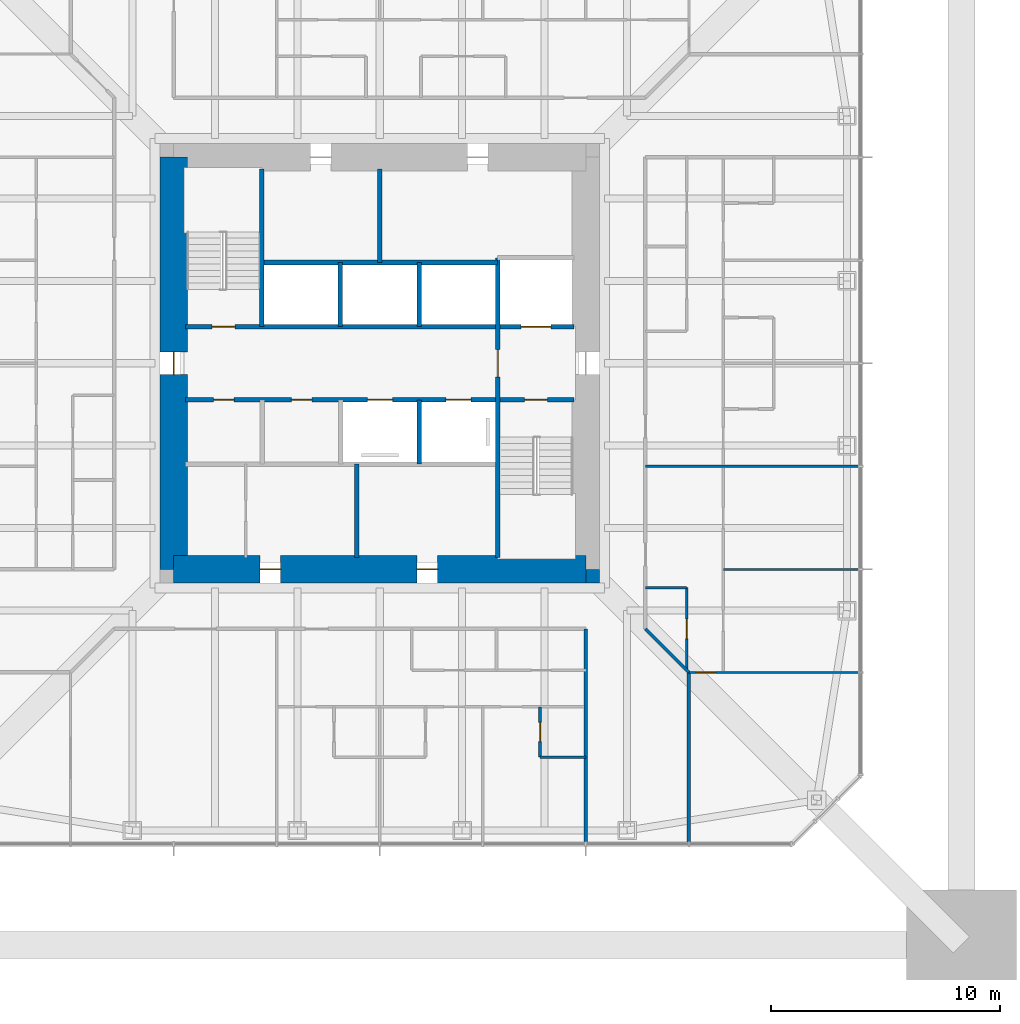
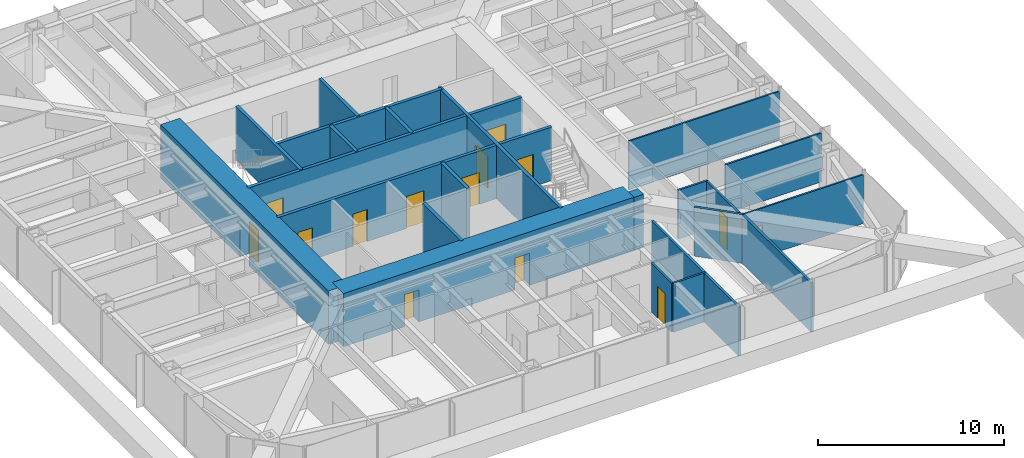
# One storey, part 14 of 20: 23 walls, 14 doors, 14 openings.
"""IFC4 building model written with IfcOpenShell, lengths in metres."""

from ifc_helpers import new_model, si_unit, direction, frame, frame_2d, origin, place, context, subcontext, project, spatial, rectangle, extrude, material, layer, layer_set, type_object, element, fill, save


model = new_model("IFC4")

# Units and contexts
model_context = context("Model", 3, precision=1e-05, world=origin(), true_north=direction((0.0, 1.0)))
body_context = subcontext(model_context, "Body", "Model", "MODEL_VIEW")
ifc_project = project(units=[si_unit("LENGTHUNIT", "METRE"), si_unit("AREAUNIT", "SQUARE_METRE"), si_unit("VOLUMEUNIT", "CUBIC_METRE"), si_unit("PLANEANGLEUNIT", "RADIAN"), si_unit("MASSUNIT", "GRAM", prefix="KILO")], contexts=[model_context])

# Site, building, storey
site_placement = place(None, origin())
site = spatial("IfcSite", under=ifc_project, at=site_placement, CompositionType="ELEMENT")
building_placement = place(site_placement, origin())
building = spatial("IfcBuilding", under=site, at=building_placement, Name="Iwan Alto Co-Living Towers", CompositionType="ELEMENT")
storey_placement = place(building_placement, frame((0.0, 0.0, 140.0)))
storey = spatial("IfcBuildingStorey", under=building, at=storey_placement, Name="L38", CompositionType="ELEMENT", Elevation=140.0)

# Walls
ifc_material_1 = material(Name="Gypsum board")
ifc_layer_1 = layer(ifc_material_1, 0.02490234375, Name="Board", Category="Finish")
ifc_material_2 = material(Name="Steel ASTM A1003 ST33H cold-formed studs", Category="steel")
ifc_layer_2 = layer(ifc_material_2, 0.10009765625, Name="Studs", Category="Framing")
ifc_layer_3 = layer(ifc_material_1, 0.02490234375, Name="Board", Category="Finish")
ifc_layer_set_1 = layer_set([ifc_layer_1, ifc_layer_2, ifc_layer_3], Name="CORRIDOR WALL 150")
wall_type_1 = type_object("IfcWallType", Name="CORRIDOR WALL 150", PredefinedType="PARTITIONING", material=ifc_layer_set_1)
wall_1_placement = place(storey_placement, frame((13.5, -20.93994140625, 0.0), z_axis=(0.0, 0.0, 1.0), x_axis=(0.0, 1.0, 0.0)))
element("IfcWall", 1, at=wall_1_placement, inside=storey, type_object=wall_type_1, Name="Partition L38", PredefinedType="PARTITIONING", context=body_context, shape_type="SweptSolid", body=[
    extrude(rectangle(XDim=7.43994140625, YDim=0.14990234375, at=frame_2d((3.719970703125, 0.0))), origin(), (0.0, 0.0, 1.0), 3.199951171875),
])
wall_2_placement = place(storey_placement, frame((9.0, -20.93994140625, 0.0), z_axis=(0.0, 0.0, 1.0), x_axis=(0.0, 1.0, 0.0)))
element("IfcWall", 2, at=wall_2_placement, inside=storey, type_object=wall_type_1, Name="Partition L38", PredefinedType="PARTITIONING", context=body_context, shape_type="SweptSolid", body=[
    extrude(rectangle(XDim=9.33984375, YDim=0.14990234375, at=frame_2d((4.669921875, 0.0))), origin(), (0.0, 0.0, 1.0), 3.199951171875),
])
wall_3_placement = place(storey_placement, frame((13.5, -13.5, 0.0), z_axis=(0.0, 0.0, 1.0), x_axis=(-0.707106781187, 0.707106781187, 0.0)))
element("IfcWall", 3, at=wall_3_placement, inside=storey, type_object=wall_type_1, Name="Partition L38", PredefinedType="PARTITIONING", context=body_context, shape_type="SweptSolid", body=[
    extrude(rectangle(XDim=2.686767578125, YDim=0.14990234375, at=frame_2d((1.34326171875, 0.0))), origin(), (0.0, 0.0, 1.0), 3.199951171875),
])

# Wall, opening, door
ifc_layer_4 = layer(ifc_material_1, 0.012451171875, Name="Board", Category="Finish")
ifc_layer_5 = layer(ifc_material_2, 0.074951171875, Name="Studs", Category="Framing")
ifc_layer_6 = layer(ifc_material_1, 0.012451171875, Name="Board", Category="Finish")
ifc_layer_set_2 = layer_set([ifc_layer_4, ifc_layer_5, ifc_layer_6], Name="PARTITION 100")
wall_type_2 = type_object("IfcWallType", Name="PARTITION 100", PredefinedType="PARTITIONING", material=ifc_layer_set_2)
wall_4_placement = place(storey_placement, frame((13.5, -13.5, 0.0), z_axis=(0.0, 0.0, 1.0), x_axis=(1.0, 0.0, 0.0)))
wall_4 = element("IfcWall", 4, at=wall_4_placement, inside=storey, type_object=wall_type_2, Name="Partition L38", PredefinedType="PARTITIONING", context=body_context, shape_type="SweptSolid", body=[
    extrude(rectangle(XDim=7.43994140625, YDim=0.10009765625, at=frame_2d((3.719970703125, 0.0))), origin(), (0.0, 0.0, 1.0), 3.199951171875),
])
opening_1_placement = place(wall_4_placement, frame((0.324951171875, 0.0, 0.0)))
opening_1 = element("IfcOpeningElement", 5, at=opening_1_placement, cuts=wall_4, Name="Opening D2", PredefinedType="OPENING", context=body_context, shape_type="SweptSolid", body=[
    extrude(rectangle(XDim=0.85009765625, YDim=2.10009765625, at=frame_2d((0.425048828125, 1.050048828125))), frame((0.0, 0.06005859375, 0.0), z_axis=(0.0, -1.0, 0.0), x_axis=(1.0, 0.0, 0.0)), (0.0, 0.0, 1.0), 0.1201171875),
])
ifc_material_3 = material(Name="Timber leaf in steel frame", Category="steel")
door_type_1 = type_object("IfcDoorType", Name="ROOM DOOR 850X2100", OperationType="SINGLE_SWING_LEFT", PredefinedType="DOOR", material=ifc_material_3)
door_1_placement = place(opening_1_placement, frame((0.85009765625, 0.0, 0.0), z_axis=(0.0, 0.0, 1.0), x_axis=(-1.0, 0.0, 0.0)))
door_1 = element("IfcDoor", 6, at=door_1_placement, inside=storey, type_object=door_type_1, Name="Shared kitchen and lounge door L38", OperationType="SINGLE_SWING_RIGHT", OverallHeight=2.10009765625, OverallWidth=0.85009765625, PredefinedType="DOOR", context=body_context, shape_type="SweptSolid", body=[
    extrude(rectangle(XDim=0.85009765625, YDim=2.10009765625, at=frame_2d((0.425048828125, 1.050048828125))), frame((0.0, 0.02490234375, 0.0), z_axis=(0.0, -1.0, 0.0), x_axis=(1.0, 0.0, 0.0)), (0.0, 0.0, 1.0), 0.050048828125),
])
fill(opening_1, door_1)

# Walls
wall_5_placement = place(storey_placement, frame((15.0, -9.0, 0.0), z_axis=(0.0, 0.0, 1.0), x_axis=(1.0, 0.0, 0.0)))
element("IfcWall", 7, at=wall_5_placement, inside=storey, type_object=wall_type_2, Name="Partition L38", PredefinedType="PARTITIONING", context=body_context, shape_type="SweptSolid", body=[
    extrude(rectangle(XDim=5.93994140625, YDim=0.10009765625, at=frame_2d((2.969970703125, 0.0))), origin(), (0.0, 0.0, 1.0), 3.199951171875),
])
wall_6_placement = place(storey_placement, frame((11.60009765625, -4.5, 0.0), z_axis=(0.0, 0.0, 1.0), x_axis=(1.0, 0.0, 0.0)))
element("IfcWall", 8, at=wall_6_placement, inside=storey, type_object=wall_type_2, Name="Partition L38", PredefinedType="PARTITIONING", context=body_context, shape_type="SweptSolid", body=[
    extrude(rectangle(XDim=9.33984375, YDim=0.10009765625, at=frame_2d((4.669921875, 0.0))), origin(), (0.0, 0.0, 1.0), 3.199951171875),
])

# Wall, openings, doors
ifc_material_4 = material(Name="Concrete f'c 70 MPa", Category="concrete")
ifc_layer_7 = layer(ifc_material_4, 0.199951171875)
ifc_layer_set_3 = layer_set([ifc_layer_7], Name="SHAFT WALL 200")
wall_type_3 = type_object("IfcWallType", Name="SHAFT WALL 200", PredefinedType="SOLIDWALL", material=ifc_layer_set_3)
wall_7_placement = place(storey_placement, frame((-8.489990234375, -1.60009765625, 0.0), z_axis=(0.0, 0.0, 1.0), x_axis=(1.0, 0.0, 0.0)))
wall_7 = element("IfcWall", 9, at=wall_7_placement, inside=storey, type_object=wall_type_3, Name="Shaft wall L38", PredefinedType="SOLIDWALL", context=body_context, shape_type="SweptSolid", body=[
    extrude(rectangle(XDim=16.97998046875, YDim=0.199951171875, at=frame_2d((8.489990234375, 0.0))), origin(), (0.0, 0.0, 1.0), 3.5),
])
opening_2_placement = place(wall_7_placement, frame((14.81005859375, 0.0, 0.0)))
opening_2 = element("IfcOpeningElement", 10, at=opening_2_placement, cuts=wall_7, Name="Opening D5", PredefinedType="OPENING", context=body_context, shape_type="SweptSolid", body=[
    extrude(rectangle(XDim=1.0, YDim=2.10009765625, at=frame_2d((0.5, 1.050048828125))), frame((0.0, 0.10986328125, 0.0), z_axis=(0.0, -1.0, 0.0), x_axis=(1.0, 0.0, 0.0)), (0.0, 0.0, 1.0), 0.219970703125),
])
opening_3_placement = place(wall_7_placement, frame((1.23193359375, 0.0, 0.0)))
opening_3 = element("IfcOpeningElement", 11, at=opening_3_placement, cuts=wall_7, Name="Opening D15", PredefinedType="OPENING", context=body_context, shape_type="SweptSolid", body=[
    extrude(rectangle(XDim=0.89990234375, YDim=2.10009765625, at=frame_2d((0.449951171875, 1.050048828125))), frame((0.0, 0.10986328125, 0.0), z_axis=(0.0, -1.0, 0.0), x_axis=(1.0, 0.0, 0.0)), (0.0, 0.0, 1.0), 0.219970703125),
])
opening_4_placement = place(wall_7_placement, frame((4.626953125, 0.0, 0.0)))
opening_4 = element("IfcOpeningElement", 12, at=opening_4_placement, cuts=wall_7, Name="Opening D15", PredefinedType="OPENING", context=body_context, shape_type="SweptSolid", body=[
    extrude(rectangle(XDim=0.89990234375, YDim=2.10009765625, at=frame_2d((0.449951171875, 1.050048828125))), frame((0.0, 0.10986328125, 0.0), z_axis=(0.0, -1.0, 0.0), x_axis=(1.0, 0.0, 0.0)), (0.0, 0.0, 1.0), 0.219970703125),
])
opening_5_placement = place(wall_7_placement, frame((7.952880859375, 0.0, 0.0)))
opening_5 = element("IfcOpeningElement", 13, at=opening_5_placement, cuts=wall_7, Name="Opening LD", PredefinedType="OPENING", context=body_context, shape_type="SweptSolid", body=[
    extrude(rectangle(XDim=1.10009765625, YDim=2.10009765625, at=frame_2d((0.550048828125, 1.050048828125))), frame((0.0, 0.10986328125, 0.0), z_axis=(0.0, -1.0, 0.0), x_axis=(1.0, 0.0, 0.0)), (0.0, 0.0, 1.0), 0.219970703125),
])
opening_6_placement = place(wall_7_placement, frame((11.3779296875, 0.0, 0.0)))
opening_6 = element("IfcOpeningElement", 14, at=opening_6_placement, cuts=wall_7, Name="Opening LD", PredefinedType="OPENING", context=body_context, shape_type="SweptSolid", body=[
    extrude(rectangle(XDim=1.10009765625, YDim=2.10009765625, at=frame_2d((0.550048828125, 1.050048828125))), frame((0.0, 0.10986328125, 0.0), z_axis=(0.0, -1.0, 0.0), x_axis=(1.0, 0.0, 0.0)), (0.0, 0.0, 1.0), 0.219970703125),
])
ifc_material_5 = material(Name="Steel frame with timber leaf", Category="steel")
door_type_2 = type_object("IfcDoorType", Name="CORE ROOM DOOR FD60S 900X2100", OperationType="SINGLE_SWING_LEFT", PredefinedType="DOOR", material=ifc_material_5)
door_2_placement = place(opening_3_placement, frame((0.89990234375, 0.0, 0.0), z_axis=(0.0, 0.0, 1.0), x_axis=(-1.0, 0.0, 0.0)))
door_2 = element("IfcDoor", 15, at=door_2_placement, inside=storey, type_object=door_type_2, Name="Vending and ice room door L38", OperationType="SINGLE_SWING_LEFT", OverallHeight=2.10009765625, OverallWidth=0.89990234375, PredefinedType="DOOR", context=body_context, shape_type="SweptSolid", body=[
    extrude(rectangle(XDim=0.89990234375, YDim=2.10009765625, at=frame_2d((0.449951171875, 1.050048828125))), frame((0.0, 0.02490234375, 0.0), z_axis=(0.0, -1.0, 0.0), x_axis=(1.0, 0.0, 0.0)), (0.0, 0.0, 1.0), 0.050048828125),
])
fill(opening_3, door_2)
door_3_placement = place(opening_4_placement, frame((0.89990234375, 0.0, 0.0), z_axis=(0.0, 0.0, 1.0), x_axis=(-1.0, 0.0, 0.0)))
door_3 = element("IfcDoor", 16, at=door_3_placement, inside=storey, type_object=door_type_2, Name="Cleaner's store door L38", OperationType="SINGLE_SWING_RIGHT", OverallHeight=2.10009765625, OverallWidth=0.89990234375, PredefinedType="DOOR", context=body_context, shape_type="SweptSolid", body=[
    extrude(rectangle(XDim=0.89990234375, YDim=2.10009765625, at=frame_2d((0.449951171875, 1.050048828125))), frame((0.0, 0.02490234375, 0.0), z_axis=(0.0, -1.0, 0.0), x_axis=(1.0, 0.0, 0.0)), (0.0, 0.0, 1.0), 0.050048828125),
])
fill(opening_4, door_3)
ifc_material_6 = material(Name="Steel frame with timber leaf", Category="steel")
door_type_3 = type_object("IfcDoorType", Name="LIFT LANDING DOOR 1100X2100", OperationType="DOUBLE_DOOR_SLIDING", PredefinedType="DOOR", material=ifc_material_6)
door_4_placement = place(opening_5_placement, origin())
door_4 = element("IfcDoor", 17, at=door_4_placement, inside=storey, type_object=door_type_3, Name="Lift P2-3 landing door L38", OperationType="DOUBLE_DOOR_SLIDING", OverallHeight=2.10009765625, OverallWidth=1.10009765625, PredefinedType="DOOR", context=body_context, shape_type="SweptSolid", body=[
    extrude(rectangle(XDim=1.10009765625, YDim=2.10009765625, at=frame_2d((0.550048828125, 1.050048828125))), frame((0.0, 0.02490234375, 0.0), z_axis=(0.0, -1.0, 0.0), x_axis=(1.0, 0.0, 0.0)), (0.0, 0.0, 1.0), 0.050048828125),
])
fill(opening_5, door_4)
door_5_placement = place(opening_6_placement, origin())
door_5 = element("IfcDoor", 18, at=door_5_placement, inside=storey, type_object=door_type_3, Name="Lift P2-4 landing door L38", OperationType="DOUBLE_DOOR_SLIDING", OverallHeight=2.10009765625, OverallWidth=1.10009765625, PredefinedType="DOOR", context=body_context, shape_type="SweptSolid", body=[
    extrude(rectangle(XDim=1.10009765625, YDim=2.10009765625, at=frame_2d((0.550048828125, 1.050048828125))), frame((0.0, 0.02490234375, 0.0), z_axis=(0.0, -1.0, 0.0), x_axis=(1.0, 0.0, 0.0)), (0.0, 0.0, 1.0), 0.050048828125),
])
fill(opening_6, door_5)
ifc_material_7 = material(Name="Steel frame with timber leaf", Category="steel")
door_type_4 = type_object("IfcDoorType", Name="STAIR DOOR FD120S 1000X2100", OperationType="SINGLE_SWING_LEFT", PredefinedType="DOOR", material=ifc_material_7)
door_6_placement = place(opening_2_placement, frame((1.0, 0.0, 0.0), z_axis=(0.0, 0.0, 1.0), x_axis=(-1.0, 0.0, 0.0)))
door_6 = element("IfcDoor", 19, at=door_6_placement, inside=storey, type_object=door_type_4, Name="Stair S2 door L38", OperationType="SINGLE_SWING_RIGHT", OverallHeight=2.10009765625, OverallWidth=1.0, PredefinedType="DOOR", context=body_context, shape_type="SweptSolid", body=[
    extrude(rectangle(XDim=1.0, YDim=2.10009765625, at=frame_2d((0.5, 1.050048828125))), frame((0.0, 0.02490234375, 0.0), z_axis=(0.0, -1.0, 0.0), x_axis=(1.0, 0.0, 0.0)), (0.0, 0.0, 1.0), 0.050048828125),
])
fill(opening_2, door_6)

wall_8_placement = place(storey_placement, frame((-8.489990234375, 1.60009765625, 0.0), z_axis=(0.0, 0.0, 1.0), x_axis=(1.0, 0.0, 0.0)))
wall_8 = element("IfcWall", 20, at=wall_8_placement, inside=storey, type_object=wall_type_3, Name="Shaft wall L38", PredefinedType="SOLIDWALL", context=body_context, shape_type="SweptSolid", body=[
    extrude(rectangle(XDim=16.97998046875, YDim=0.199951171875, at=frame_2d((8.489990234375, 0.0))), origin(), (0.0, 0.0, 1.0), 3.5),
])
opening_7_placement = place(wall_8_placement, frame((1.169921875, 0.0, 0.0)))
opening_7 = element("IfcOpeningElement", 21, at=opening_7_placement, cuts=wall_8, Name="Opening D5", PredefinedType="OPENING", context=body_context, shape_type="SweptSolid", body=[
    extrude(rectangle(XDim=1.0, YDim=2.10009765625, at=frame_2d((0.5, 1.050048828125))), frame((0.0, 0.10986328125, 0.0), z_axis=(0.0, -1.0, 0.0), x_axis=(1.0, 0.0, 0.0)), (0.0, 0.0, 1.0), 0.219970703125),
])
opening_8_placement = place(wall_8_placement, frame((14.659912109375, 0.0, 0.0)))
opening_8 = element("IfcOpeningElement", 22, at=opening_8_placement, cuts=wall_8, Name="Opening LD2", PredefinedType="OPENING", context=body_context, shape_type="SweptSolid", body=[
    extrude(rectangle(XDim=1.300048828125, YDim=2.10009765625, at=frame_2d((0.64990234375, 1.050048828125))), frame((0.0, 0.10986328125, 0.0), z_axis=(0.0, -1.0, 0.0), x_axis=(1.0, 0.0, 0.0)), (0.0, 0.0, 1.0), 0.219970703125),
])
ifc_material_8 = material(Name="Steel frame with timber leaf", Category="steel")
door_type_5 = type_object("IfcDoorType", Name="LIFT LANDING DOOR 1300X2100", OperationType="SLIDING_TO_LEFT", PredefinedType="DOOR", material=ifc_material_8)
door_7_placement = place(opening_8_placement, origin())
door_7 = element("IfcDoor", 23, at=door_7_placement, inside=storey, type_object=door_type_5, Name="Lift FL1 landing door L38", OperationType="SLIDING_TO_LEFT", OverallHeight=2.10009765625, OverallWidth=1.300048828125, PredefinedType="DOOR", context=body_context, shape_type="SweptSolid", body=[
    extrude(rectangle(XDim=1.300048828125, YDim=2.10009765625, at=frame_2d((0.64990234375, 1.050048828125))), frame((0.0, 0.02490234375, 0.0), z_axis=(0.0, -1.0, 0.0), x_axis=(1.0, 0.0, 0.0)), (0.0, 0.0, 1.0), 0.050048828125),
])
fill(opening_8, door_7)
door_8_placement = place(opening_7_placement, origin())
door_8 = element("IfcDoor", 24, at=door_8_placement, inside=storey, type_object=door_type_4, Name="Stair S1 door L38", OperationType="SINGLE_SWING_RIGHT", OverallHeight=2.10009765625, OverallWidth=1.0, PredefinedType="DOOR", context=body_context, shape_type="SweptSolid", body=[
    extrude(rectangle(XDim=1.0, YDim=2.10009765625, at=frame_2d((0.5, 1.050048828125))), frame((0.0, 0.02490234375, 0.0), z_axis=(0.0, -1.0, 0.0), x_axis=(1.0, 0.0, 0.0)), (0.0, 0.0, 1.0), 0.050048828125),
])
fill(opening_7, door_8)

# Wall
wall_9_placement = place(storey_placement, frame((-5.14990234375, 4.39990234375, 0.0), z_axis=(0.0, 0.0, 1.0), x_axis=(1.0, 0.0, 0.0)))
element("IfcWall", 25, at=wall_9_placement, inside=storey, type_object=wall_type_3, Name="Shaft wall L38", PredefinedType="SOLIDWALL", context=body_context, shape_type="SweptSolid", body=[
    extrude(rectangle(XDim=10.2998046875, YDim=0.199951171875, at=frame_2d((5.14990234375, 0.0))), origin(), (0.0, 0.0, 1.0), 3.5),
])

# Wall, opening, door
wall_10_placement = place(storey_placement, frame((5.14990234375, -8.489990234375, 0.0), z_axis=(0.0, 0.0, 1.0), x_axis=(0.0, 1.0, 0.0)))
wall_10 = element("IfcWall", 26, at=wall_10_placement, inside=storey, type_object=wall_type_3, Name="Shaft wall L38", PredefinedType="SOLIDWALL", context=body_context, shape_type="SweptSolid", body=[
    extrude(rectangle(XDim=13.090087890625, YDim=0.199951171875, at=frame_2d((6.544921875, 0.0))), origin(), (0.0, 0.0, 1.0), 3.5),
])
opening_9_placement = place(wall_10_placement, frame((7.889892578125, 0.0, 0.0)))
opening_9 = element("IfcOpeningElement", 27, at=opening_9_placement, cuts=wall_10, Name="Opening D6", PredefinedType="OPENING", context=body_context, shape_type="SweptSolid", body=[
    extrude(rectangle(XDim=1.199951171875, YDim=2.10009765625, at=frame_2d((0.60009765625, 1.050048828125))), frame((0.0, 0.10986328125, 0.0), z_axis=(0.0, -1.0, 0.0), x_axis=(1.0, 0.0, 0.0)), (0.0, 0.0, 1.0), 0.219970703125),
])
ifc_material_9 = material(Name="Steel frame with timber leaf", Category="steel")
door_type_6 = type_object("IfcDoorType", Name="LOBBY DOOR FD120S 1200X2100", OperationType="SINGLE_SWING_LEFT", PredefinedType="DOOR", material=ifc_material_9)
door_9_placement = place(opening_9_placement, frame((1.199951171875, 0.0, 0.0), z_axis=(0.0, 0.0, 1.0), x_axis=(-1.0, 0.0, 0.0)))
door_9 = element("IfcDoor", 28, at=door_9_placement, inside=storey, type_object=door_type_6, Name="Firefighting lobby door L38", OperationType="SINGLE_SWING_RIGHT", OverallHeight=2.10009765625, OverallWidth=1.199951171875, PredefinedType="DOOR", context=body_context, shape_type="SweptSolid", body=[
    extrude(rectangle(XDim=1.199951171875, YDim=2.10009765625, at=frame_2d((0.60009765625, 1.050048828125))), frame((0.0, 0.02490234375, 0.0), z_axis=(0.0, -1.0, 0.0), x_axis=(1.0, 0.0, 0.0)), (0.0, 0.0, 1.0), 0.050048828125),
])
fill(opening_9, door_9)

# Walls
for number, where, z_axis, x_axis, name in (
    (29, (1.72509765625, -4.39990234375, 0.0), (0.0, 0.0, 1.0), (0.0, 1.0, 0.0), "Shaft wall L38"),
    (30, (1.717041015625, 1.60009765625, 0.0), (0.0, 0.0, 1.0), (0.0, 1.0, 0.0), "Shaft wall L38"),
):
    element("IfcWall", number, at=place(storey_placement, frame(where, z_axis=z_axis, x_axis=x_axis)), inside=storey, type_object=wall_type_3, Name=name, PredefinedType="SOLIDWALL", context=body_context, shape_type="SweptSolid", body=[
        extrude(rectangle(XDim=2.7998046875, YDim=0.199951171875, at=frame_2d((1.39990234375, 0.0))), origin(), (0.0, 0.0, 1.0), 3.5),
    ])
for number, where, z_axis, x_axis, name in (
    (31, (0.0, 4.39990234375, 0.0), (0.0, 0.0, 1.0), (0.0, 1.0, 0.0), "Shaft wall L38"),
    (32, (-1.0, -8.489990234375, 0.0), (0.0, 0.0, 1.0), (0.0, 1.0, 0.0), "Shaft wall L38"),
):
    element("IfcWall", number, at=place(storey_placement, frame(where, z_axis=z_axis, x_axis=x_axis)), inside=storey, type_object=wall_type_3, Name=name, PredefinedType="SOLIDWALL", context=body_context, shape_type="SweptSolid", body=[
        extrude(rectangle(XDim=4.090087890625, YDim=0.199951171875, at=frame_2d((2.044921875, 0.0))), origin(), (0.0, 0.0, 1.0), 3.5),
    ])
wall_11_placement = place(storey_placement, frame((-1.717041015625, 1.60009765625, 0.0), z_axis=(0.0, 0.0, 1.0), x_axis=(0.0, 1.0, 0.0)))
element("IfcWall", 33, at=wall_11_placement, inside=storey, type_object=wall_type_3, Name="Shaft wall L38", PredefinedType="SOLIDWALL", context=body_context, shape_type="SweptSolid", body=[
    extrude(rectangle(XDim=2.7998046875, YDim=0.199951171875, at=frame_2d((1.39990234375, 0.0))), origin(), (0.0, 0.0, 1.0), 3.5),
])
wall_12_placement = place(storey_placement, frame((-5.14990234375, 1.60009765625, 0.0), z_axis=(0.0, 0.0, 1.0), x_axis=(0.0, 1.0, 0.0)))
element("IfcWall", 34, at=wall_12_placement, inside=storey, type_object=wall_type_3, Name="Shaft wall L38", PredefinedType="SOLIDWALL", context=body_context, shape_type="SweptSolid", body=[
    extrude(rectangle(XDim=6.889892578125, YDim=0.199951171875, at=frame_2d((3.44482421875, 0.0))), origin(), (0.0, 0.0, 1.0), 3.5),
])
ifc_material_10 = material(Name="Concrete f'c 70 MPa", Category="concrete")
ifc_layer_8 = layer(ifc_material_10, 0.60009765625)
ifc_layer_set_4 = layer_set([ifc_layer_8], Name="T1 CORE CORNER FILL 600")
wall_type_4 = type_object("IfcWallType", Name="T1 CORE CORNER FILL 600", PredefinedType="SOLIDWALL", material=ifc_layer_set_4)
wall_13_placement = place(storey_placement, frame((9.0, -9.300048828125, 0.0), z_axis=(0.0, 0.0, 1.0), x_axis=(1.0, 0.0, 0.0)))
element("IfcWall", 35, at=wall_13_placement, inside=storey, type_object=wall_type_4, Name="T1 core corner SE L38", PredefinedType="SOLIDWALL", context=body_context, shape_type="SweptSolid", body=[
    extrude(rectangle(XDim=0.60009765625, YDim=0.60009765625, at=frame_2d((0.300048828125, 0.0))), origin(), (0.0, 0.0, 1.0), 3.5),
])

# Wall, openings, doors
ifc_material_11 = material(Name="Concrete f'c 70 MPa", Category="concrete")
ifc_layer_9 = layer(ifc_material_11, 1.199951171875)
ifc_layer_set_5 = layer_set([ifc_layer_9], Name="T1 CORE WALL 1200")
wall_type_5 = type_object("IfcWallType", Name="T1 CORE WALL 1200", PredefinedType="SHEAR", material=ifc_layer_set_5)
wall_14_placement = place(storey_placement, frame((-9.0, -9.0, 0.0), z_axis=(0.0, 0.0, 1.0), x_axis=(1.0, 0.0, 0.0)))
wall_14 = element("IfcWall", 36, at=wall_14_placement, inside=storey, type_object=wall_type_5, Name="T1 core wall S L38", PredefinedType="SHEAR", context=body_context, shape_type="SweptSolid", body=[
    extrude(rectangle(XDim=18.0, YDim=1.199951171875, at=frame_2d((9.0, 0.0))), origin(), (0.0, 0.0, 1.0), 3.5),
])
opening_10_placement = place(wall_14_placement, frame((3.77490234375, 0.0, 0.0)))
opening_10 = element("IfcOpeningElement", 37, at=opening_10_placement, cuts=wall_14, Name="Opening D8", PredefinedType="OPENING", context=body_context, shape_type="SweptSolid", body=[
    extrude(rectangle(XDim=0.89990234375, YDim=2.10009765625, at=frame_2d((0.449951171875, 1.050048828125))), frame((0.0, 0.60986328125, 0.0), z_axis=(0.0, -1.0, 0.0), x_axis=(1.0, 0.0, 0.0)), (0.0, 0.0, 1.0), 1.219970703125),
])
opening_11_placement = place(wall_14_placement, frame((10.625, 0.0, 0.0)))
opening_11 = element("IfcOpeningElement", 38, at=opening_11_placement, cuts=wall_14, Name="Opening D8", PredefinedType="OPENING", context=body_context, shape_type="SweptSolid", body=[
    extrude(rectangle(XDim=0.89990234375, YDim=2.10009765625, at=frame_2d((0.449951171875, 1.050048828125))), frame((0.0, 0.60986328125, 0.0), z_axis=(0.0, -1.0, 0.0), x_axis=(1.0, 0.0, 0.0)), (0.0, 0.0, 1.0), 1.219970703125),
])
ifc_material_12 = material(Name="Steel frame with timber leaf", Category="steel")
door_type_7 = type_object("IfcDoorType", Name="RISER DOOR FD120 900X2100", OperationType="SINGLE_SWING_LEFT", PredefinedType="DOOR", material=ifc_material_12)
door_10_placement = place(opening_10_placement, origin())
door_10 = element("IfcDoor", 39, at=door_10_placement, inside=storey, type_object=door_type_7, Name="Refuse room core door L38", OperationType="SINGLE_SWING_LEFT", OverallHeight=2.10009765625, OverallWidth=0.89990234375, PredefinedType="DOOR", context=body_context, shape_type="SweptSolid", body=[
    extrude(rectangle(XDim=0.89990234375, YDim=2.10009765625, at=frame_2d((0.449951171875, 1.050048828125))), frame((0.0, 0.02490234375, 0.0), z_axis=(0.0, -1.0, 0.0), x_axis=(1.0, 0.0, 0.0)), (0.0, 0.0, 1.0), 0.050048828125),
])
fill(opening_10, door_10)
door_11_placement = place(opening_11_placement, origin())
door_11 = element("IfcDoor", 40, at=door_11_placement, inside=storey, type_object=door_type_7, Name="Telecom riser core door L38", OperationType="SINGLE_SWING_LEFT", OverallHeight=2.10009765625, OverallWidth=0.89990234375, PredefinedType="DOOR", context=body_context, shape_type="SweptSolid", body=[
    extrude(rectangle(XDim=0.89990234375, YDim=2.10009765625, at=frame_2d((0.449951171875, 1.050048828125))), frame((0.0, 0.02490234375, 0.0), z_axis=(0.0, -1.0, 0.0), x_axis=(1.0, 0.0, 0.0)), (0.0, 0.0, 1.0), 0.050048828125),
])
fill(opening_11, door_11)

# Wall, opening, door
wall_15_placement = place(storey_placement, frame((-9.0, 9.0, 0.0), z_axis=(0.0, 0.0, 1.0), x_axis=(0.0, -1.0, 0.0)))
wall_15 = element("IfcWall", 41, at=wall_15_placement, inside=storey, type_object=wall_type_5, Name="T1 core wall W L38", PredefinedType="SHEAR", context=body_context, shape_type="SweptSolid", body=[
    extrude(rectangle(XDim=18.0, YDim=1.199951171875, at=frame_2d((9.0, 0.0))), origin(), (0.0, 0.0, 1.0), 3.5),
])
opening_12_placement = place(wall_15_placement, frame((8.5, 0.0, 0.0)))
opening_12 = element("IfcOpeningElement", 42, at=opening_12_placement, cuts=wall_15, Name="Opening D7", PredefinedType="OPENING", context=body_context, shape_type="SweptSolid", body=[
    extrude(rectangle(XDim=1.0, YDim=2.10009765625, at=frame_2d((0.5, 1.050048828125))), frame((0.0, 0.60986328125, 0.0), z_axis=(0.0, -1.0, 0.0), x_axis=(1.0, 0.0, 0.0)), (0.0, 0.0, 1.0), 1.219970703125),
])
ifc_material_13 = material(Name="Steel frame with timber leaf", Category="steel")
door_type_8 = type_object("IfcDoorType", Name="CORE DOOR FD120S 1000X2100", OperationType="SINGLE_SWING_LEFT", PredefinedType="DOOR", material=ifc_material_13)
door_12_placement = place(opening_12_placement, origin())
door_12 = element("IfcDoor", 43, at=door_12_placement, inside=storey, type_object=door_type_8, Name="Lift lobby core door L38", OperationType="SINGLE_SWING_RIGHT", OverallHeight=2.10009765625, OverallWidth=1.0, PredefinedType="DOOR", context=body_context, shape_type="SweptSolid", body=[
    extrude(rectangle(XDim=1.0, YDim=2.10009765625, at=frame_2d((0.5, 1.050048828125))), frame((0.0, 0.02490234375, 0.0), z_axis=(0.0, -1.0, 0.0), x_axis=(1.0, 0.0, 0.0)), (0.0, 0.0, 1.0), 0.050048828125),
])
fill(opening_12, door_12)

# Walls
ifc_material_14 = material(Name="Cement board")
ifc_layer_10 = layer(ifc_material_14, 0.012451171875, Name="Board", Category="Finish")
ifc_layer_11 = layer(ifc_material_2, 0.094970703125, Name="Studs", Category="Framing")
ifc_layer_12 = layer(ifc_material_14, 0.012451171875, Name="Board", Category="Finish")
ifc_layer_set_6 = layer_set([ifc_layer_10, ifc_layer_11, ifc_layer_12], Name="WET AREA PARTITION 120")
wall_type_6 = type_object("IfcWallType", Name="WET AREA PARTITION 120", PredefinedType="PARTITIONING", material=ifc_layer_set_6)
wall_16_placement = place(storey_placement, frame((7.0, -17.199951171875, 0.0), z_axis=(0.0, 0.0, 1.0), x_axis=(1.0, 0.0, 0.0)))
element("IfcWall", 44, at=wall_16_placement, inside=storey, type_object=wall_type_6, Name="Partition L38", PredefinedType="PARTITIONING", context=body_context, shape_type="SweptSolid", body=[
    extrude(rectangle(XDim=2.0, YDim=0.1201171875, at=frame_2d((1.0, 0.0))), origin(), (0.0, 0.0, 1.0), 3.199951171875),
])
wall_17_placement = place(storey_placement, frame((11.60009765625, -9.800048828125, 0.0), z_axis=(0.0, 0.0, 1.0), x_axis=(1.0, 0.0, 0.0)))
element("IfcWall", 45, at=wall_17_placement, inside=storey, type_object=wall_type_6, Name="Partition L38", PredefinedType="PARTITIONING", context=body_context, shape_type="SweptSolid", body=[
    extrude(rectangle(XDim=1.7998046875, YDim=0.1201171875, at=frame_2d((0.89990234375, 0.0))), origin(), (0.0, 0.0, 1.0), 3.199951171875),
])

# Wall, opening, door
wall_18_placement = place(storey_placement, frame((13.39990234375, -13.39990234375, 0.0), z_axis=(0.0, 0.0, 1.0), x_axis=(0.0, 1.0, 0.0)))
wall_18 = element("IfcWall", 46, at=wall_18_placement, inside=storey, type_object=wall_type_6, Name="Partition L38", PredefinedType="PARTITIONING", context=body_context, shape_type="SweptSolid", body=[
    extrude(rectangle(XDim=3.599853515625, YDim=0.1201171875, at=frame_2d((1.7998046875, 0.0))), origin(), (0.0, 0.0, 1.0), 3.199951171875),
])
opening_13_placement = place(wall_18_placement, frame((1.375, 0.0, 0.0)))
opening_13 = element("IfcOpeningElement", 47, at=opening_13_placement, cuts=wall_18, Name="Opening D2", PredefinedType="OPENING", context=body_context, shape_type="SweptSolid", body=[
    extrude(rectangle(XDim=0.85009765625, YDim=2.10009765625, at=frame_2d((0.425048828125, 1.050048828125))), frame((0.0, 0.070068359375, 0.0), z_axis=(0.0, -1.0, 0.0), x_axis=(1.0, 0.0, 0.0)), (0.0, 0.0, 1.0), 0.14013671875),
])
door_13_placement = place(opening_13_placement, frame((0.85009765625, 0.0, 0.0), z_axis=(0.0, 0.0, 1.0), x_axis=(-1.0, 0.0, 0.0)))
door_13 = element("IfcDoor", 48, at=door_13_placement, inside=storey, type_object=door_type_1, Name="Bathroom door L38", OperationType="SINGLE_SWING_RIGHT", OverallHeight=2.10009765625, OverallWidth=0.85009765625, PredefinedType="DOOR", context=body_context, shape_type="SweptSolid", body=[
    extrude(rectangle(XDim=0.85009765625, YDim=2.10009765625, at=frame_2d((0.425048828125, 1.050048828125))), frame((0.0, 0.02490234375, 0.0), z_axis=(0.0, -1.0, 0.0), x_axis=(1.0, 0.0, 0.0)), (0.0, 0.0, 1.0), 0.050048828125),
])
fill(opening_13, door_13)

wall_19_placement = place(storey_placement, frame((7.0, -17.199951171875, 0.0), z_axis=(0.0, 0.0, 1.0), x_axis=(0.0, 1.0, 0.0)))
wall_19 = element("IfcWall", 49, at=wall_19_placement, inside=storey, type_object=wall_type_6, Name="Partition L38", PredefinedType="PARTITIONING", context=body_context, shape_type="SweptSolid", body=[
    extrude(rectangle(XDim=2.199951171875, YDim=0.1201171875, at=frame_2d((1.10009765625, 0.0))), origin(), (0.0, 0.0, 1.0), 3.199951171875),
])
opening_14_placement = place(wall_19_placement, frame((0.675048828125, 0.0, 0.0)))
opening_14 = element("IfcOpeningElement", 50, at=opening_14_placement, cuts=wall_19, Name="Opening D2", PredefinedType="OPENING", context=body_context, shape_type="SweptSolid", body=[
    extrude(rectangle(XDim=0.85009765625, YDim=2.10009765625, at=frame_2d((0.425048828125, 1.050048828125))), frame((0.0, 0.070068359375, 0.0), z_axis=(0.0, -1.0, 0.0), x_axis=(1.0, 0.0, 0.0)), (0.0, 0.0, 1.0), 0.14013671875),
])
door_14_placement = place(opening_14_placement, origin())
door_14 = element("IfcDoor", 51, at=door_14_placement, inside=storey, type_object=door_type_1, Name="En-suite shower room door L38", OperationType="SINGLE_SWING_RIGHT", OverallHeight=2.10009765625, OverallWidth=0.85009765625, PredefinedType="DOOR", context=body_context, shape_type="SweptSolid", body=[
    extrude(rectangle(XDim=0.85009765625, YDim=2.10009765625, at=frame_2d((0.425048828125, 1.050048828125))), frame((0.0, 0.02490234375, 0.0), z_axis=(0.0, -1.0, 0.0), x_axis=(1.0, 0.0, 0.0)), (0.0, 0.0, 1.0), 0.050048828125),
])
fill(opening_14, door_14)

save(model, "model.ifc")
